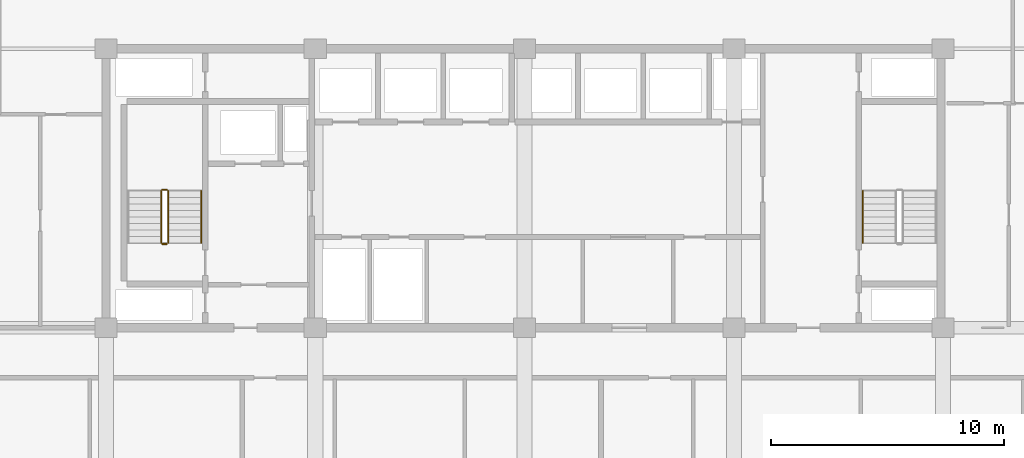
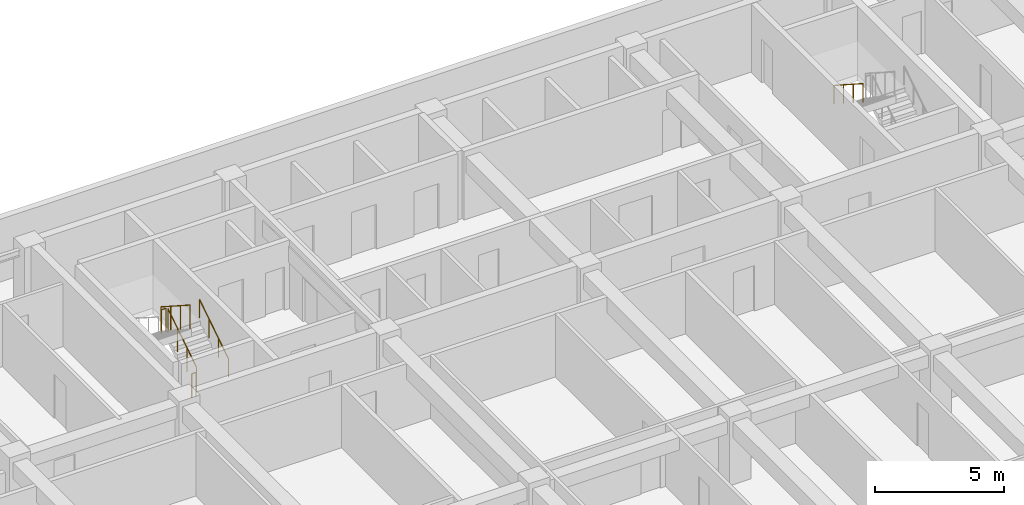
# One storey, part 21 of 24: 6 railings.
"""IFC4 building model written with IfcOpenShell, lengths in metres."""

from ifc_helpers import new_model, si_unit, direction, frame, origin, origin_2d, place, context, subcontext, project, spatial, circle, extrude, material, type_object, element, save


model = new_model("IFC4")

# Units and contexts
model_context = context("Model", 3, precision=1e-05, world=origin(), true_north=direction((0.0, 1.0)))
body_context = subcontext(model_context, "Body", "Model", "MODEL_VIEW")
ifc_project = project(units=[si_unit("LENGTHUNIT", "METRE"), si_unit("AREAUNIT", "SQUARE_METRE"), si_unit("VOLUMEUNIT", "CUBIC_METRE"), si_unit("PLANEANGLEUNIT", "RADIAN"), si_unit("MASSUNIT", "GRAM", prefix="KILO")], contexts=[model_context])

# Site, building, storey
site_placement = place(None, origin())
site = spatial("IfcSite", under=ifc_project, at=site_placement, CompositionType="ELEMENT")
building_placement = place(site_placement, origin())
building = spatial("IfcBuilding", under=site, at=building_placement, Name="Korimba Cascade Residences", CompositionType="ELEMENT")
storey_placement = place(building_placement, frame((0.0, 0.0, 43.5)))
storey = spatial("IfcBuildingStorey", under=building, at=storey_placement, Name="L11", CompositionType="ELEMENT", Elevation=43.5)

# Railings
ifc_material_1 = material(Name="Painted Steel Stairwell Guardrail", Category="steel")
railing_type_1 = type_object("IfcRailingType", Name="RLG-ST-GD1150", PredefinedType="GUARDRAIL", material=ifc_material_1)
railing_1_placement = place(storey_placement, frame((84.77001953125, 22.050048828125, 0.1806640625)))
element("IfcRailing", 1, at=railing_1_placement, inside=storey, type_object=railing_type_1, Name="L11 ST-E1 stair guard 1", PredefinedType="GUARDRAIL", context=body_context, shape_type="SweptSolid", body=[
    extrude(circle(Radius=0.02392578125, at=origin_2d()), frame((0.0, 0.0, 1.1259765625), z_axis=(0.0, 0.840436612492, 0.541909863706), x_axis=(-1.0, 0.0, 0.0)), (0.0, 0.0, 1.0), 2.665283203125),
    extrude(circle(Radius=0.02099609375, at=origin_2d()), origin(), (0.0, 0.0, 1.0), 1.101806640625),
    extrude(circle(Radius=0.02099609375, at=origin_2d()), frame((0.0, 0.74658203125, 0.4814453125)), (0.0, 0.0, 1.0), 1.101806640625),
    extrude(circle(Radius=0.02099609375, at=origin_2d()), frame((0.0, 1.493408203125, 0.962890625)), (0.0, 0.0, 1.0), 1.101806640625),
    extrude(circle(Radius=0.02099609375, at=origin_2d()), frame((0.0, 2.239990234375, 1.4443359375)), (0.0, 0.0, 1.0), 1.101806640625),
])
railing_2_placement = place(storey_placement, frame((84.719970703125, 24.340087890625, 1.625)))
element("IfcRailing", 2, at=railing_2_placement, inside=storey, type_object=railing_type_1, Name="L11 ST-E1 stair guard 2", PredefinedType="GUARDRAIL", context=body_context, shape_type="SweptSolid", body=[
    extrude(circle(Radius=0.02392578125, at=origin_2d()), frame((0.0, 0.0, 1.1259765625), z_axis=(-1.0, 0.0, 0.0), x_axis=(0.0, -1.0, 0.0)), (0.0, 0.0, 1.0), 0.199951171875),
    extrude(circle(Radius=0.02099609375, at=origin_2d()), origin(), (0.0, 0.0, 1.0), 1.101806640625),
    extrude(circle(Radius=0.02099609375, at=origin_2d()), frame((-0.199951171875, 0.0, 0.0)), (0.0, 0.0, 1.0), 1.101806640625),
])
railing_3_placement = place(storey_placement, frame((84.469970703125, 24.2900390625, 1.8056640625)))
element("IfcRailing", 3, at=railing_3_placement, inside=storey, type_object=railing_type_1, Name="L11 ST-E1 stair guard 3", PredefinedType="GUARDRAIL", context=body_context, shape_type="SweptSolid", body=[
    extrude(circle(Radius=0.02392578125, at=origin_2d()), frame((0.0, 0.0, 1.1259765625), z_axis=(0.0, -0.840436612492, 0.541909863706), x_axis=(1.0, 0.0, 0.0)), (0.0, 0.0, 1.0), 2.665283203125),
    extrude(circle(Radius=0.02099609375, at=origin_2d()), origin(), (0.0, 0.0, 1.0), 1.101806640625),
    extrude(circle(Radius=0.02099609375, at=origin_2d()), frame((0.0, -0.74658203125, 0.4814453125)), (0.0, 0.0, 1.0), 1.101806640625),
    extrude(circle(Radius=0.02099609375, at=origin_2d()), frame((0.0, -1.493408203125, 0.962890625)), (0.0, 0.0, 1.0), 1.101806640625),
    extrude(circle(Radius=0.02099609375, at=origin_2d()), frame((0.0, -2.239990234375, 1.4443359375)), (0.0, 0.0, 1.0), 1.101806640625),
])
railing_4_placement = place(storey_placement, frame((84.719970703125, 22.0, 0.0)))
element("IfcRailing", 4, at=railing_4_placement, inside=storey, type_object=railing_type_1, Name="L11 ST-E1 stair guard 4", PredefinedType="GUARDRAIL", context=body_context, shape_type="SweptSolid", body=[
    extrude(circle(Radius=0.02392578125, at=origin_2d()), frame((0.0, 0.0, 1.1259765625), z_axis=(-1.0, 0.0, 0.0), x_axis=(0.0, -1.0, 0.0)), (0.0, 0.0, 1.0), 0.199951171875),
    extrude(circle(Radius=0.02099609375, at=origin_2d()), origin(), (0.0, 0.0, 1.0), 1.101806640625),
    extrude(circle(Radius=0.02099609375, at=origin_2d()), frame((-0.199951171875, 0.0, 0.0)), (0.0, 0.0, 1.0), 1.101806640625),
])
ifc_material_2 = material(Name="Brushed Stainless Steel Handrail", Category="steel")
railing_type_2 = type_object("IfcRailingType", Name="RLG-ST-HR900", PredefinedType="HANDRAIL", material=ifc_material_2)
railing_5_placement = place(storey_placement, frame((86.18994140625, 22.050048828125, 0.364990234375)))
element("IfcRailing", 5, at=railing_5_placement, inside=storey, type_object=railing_type_2, Name="L11 ST-E1 stair handrail 1", PredefinedType="HANDRAIL", context=body_context, shape_type="SweptSolid", body=[
    extrude(circle(Radius=0.02392578125, at=origin_2d()), frame((0.0, 0.0, 0.8759765625), z_axis=(0.0, 0.840436612492, 0.541909863706), x_axis=(-1.0, 0.0, 0.0)), (0.0, 0.0, 1.0), 2.665283203125),
    extrude(circle(Radius=0.02099609375, at=origin_2d()), origin(), (0.0, 0.0, 1.0), 0.851806640625),
    extrude(circle(Radius=0.02099609375, at=origin_2d()), frame((0.0, 0.74658203125, 0.4814453125)), (0.0, 0.0, 1.0), 0.851806640625),
    extrude(circle(Radius=0.02099609375, at=origin_2d()), frame((0.0, 1.493408203125, 0.962890625)), (0.0, 0.0, 1.0), 0.851806640625),
    extrude(circle(Radius=0.02099609375, at=origin_2d()), frame((0.0, 2.239990234375, 1.4443359375)), (0.0, 0.0, 1.0), 0.851806640625),
])
railing_6_placement = place(storey_placement, frame((114.64990234375, 24.2900390625, 1.989990234375)))
element("IfcRailing", 6, at=railing_6_placement, inside=storey, type_object=railing_type_2, Name="L11 ST-E2 stair handrail 2", PredefinedType="HANDRAIL", context=body_context, shape_type="SweptSolid", body=[
    extrude(circle(Radius=0.02392578125, at=origin_2d()), frame((0.0, 0.0, 0.8759765625), z_axis=(0.0, -0.840436612492, 0.541909863706), x_axis=(1.0, 0.0, 0.0)), (0.0, 0.0, 1.0), 2.665283203125),
    extrude(circle(Radius=0.02099609375, at=origin_2d()), origin(), (0.0, 0.0, 1.0), 0.851806640625),
    extrude(circle(Radius=0.02099609375, at=origin_2d()), frame((0.0, -0.74658203125, 0.4814453125)), (0.0, 0.0, 1.0), 0.851806640625),
    extrude(circle(Radius=0.02099609375, at=origin_2d()), frame((0.0, -1.493408203125, 0.962890625)), (0.0, 0.0, 1.0), 0.851806640625),
    extrude(circle(Radius=0.02099609375, at=origin_2d()), frame((0.0, -2.239990234375, 1.4443359375)), (0.0, 0.0, 1.0), 0.851806640625),
])

save(model, "model.ifc")
